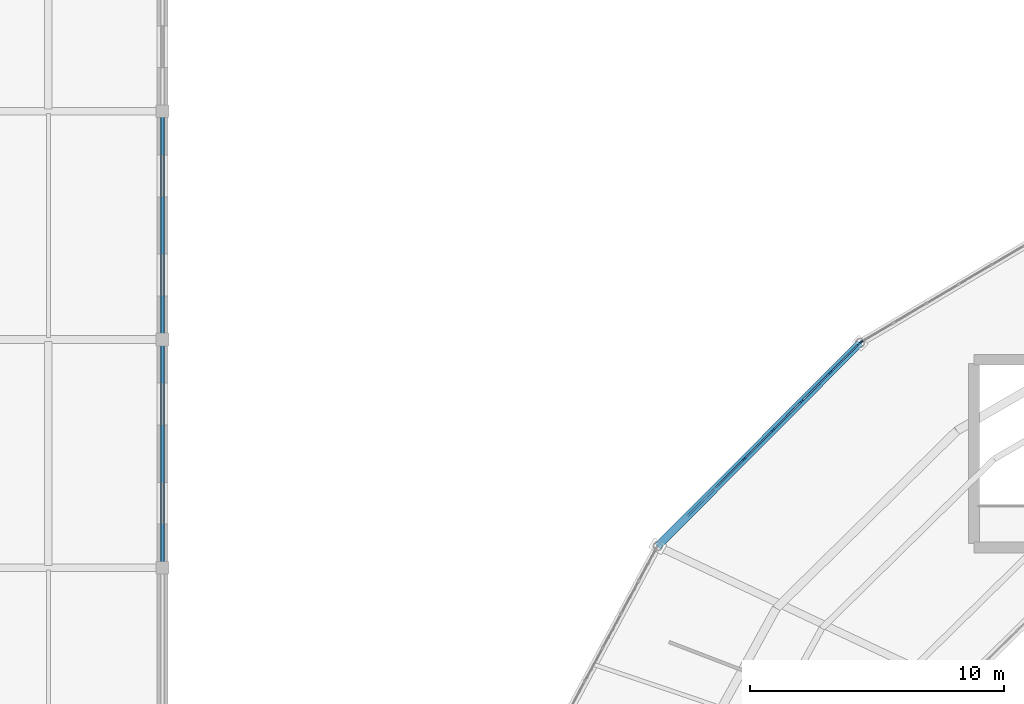
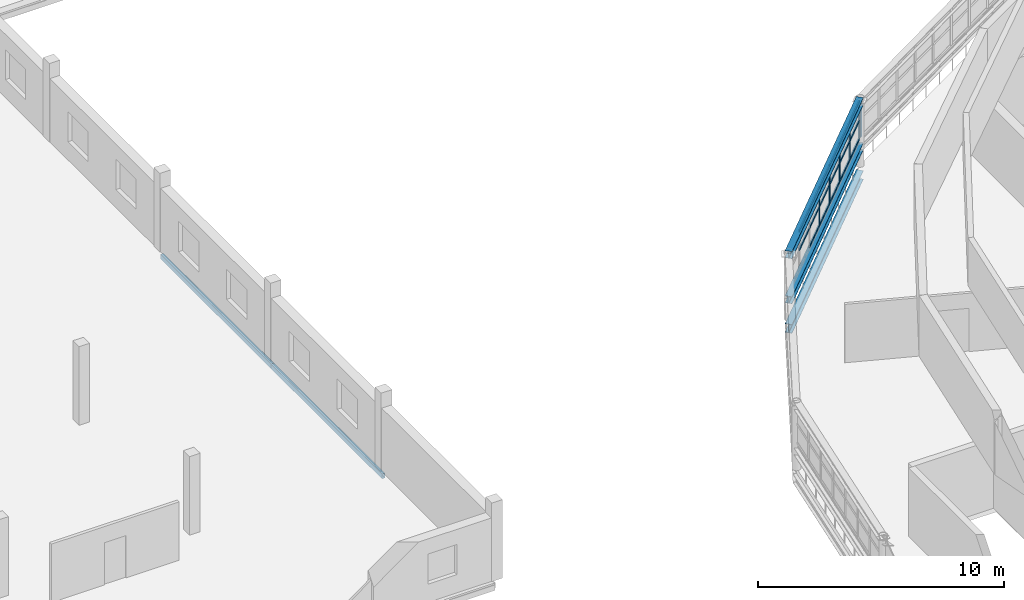
# One storey, part 43 of 123: 23 members, 5 beams, 2 elements without a shape of their own.
"""IFC4 building model written with IfcOpenShell, lengths in metres."""

from ifc_helpers import new_model, si_unit, direction, frame, origin, origin_2d, place, context, subcontext, project, spatial, rectangle, hollow_rectangle, i_section, extrude, material, material_profile, profile_set, type_object, element, aggregate, save


model = new_model("IFC4")

# Units and contexts
model_context = context("Model", 3, precision=1e-05, world=origin(), true_north=direction((0.0, 1.0)))
body_context = subcontext(model_context, "Body", "Model", "MODEL_VIEW")
ifc_project = project(units=[si_unit("LENGTHUNIT", "METRE"), si_unit("AREAUNIT", "SQUARE_METRE"), si_unit("VOLUMEUNIT", "CUBIC_METRE"), si_unit("PLANEANGLEUNIT", "RADIAN"), si_unit("MASSUNIT", "GRAM", prefix="KILO")], contexts=[model_context])

# Site, building, storey
site_placement = place(None, origin())
site = spatial("IfcSite", under=ifc_project, at=site_placement, CompositionType="ELEMENT")
building_placement = place(site_placement, origin())
building = spatial("IfcBuilding", under=site, at=building_placement, Name="Kildeholm Park Wholesale Market", CompositionType="ELEMENT")
storey_placement = place(building_placement, frame((0.0, 0.0, 9.60009765625)))
storey = spatial("IfcBuildingStorey", under=building, at=storey_placement, Name="L02", CompositionType="ELEMENT", Elevation=9.60009765625)

# Beams
ifc_material_1 = material(Name="Steel S355", Category="steel")
ifc_material_profile_1 = material_profile(ifc_material_1, i_section(OverallWidth=0.300048828125, OverallDepth=0.35009765625, WebThickness=0.010009765625, FlangeThickness=0.017578125, FilletRadius=0.027099609375, at=origin_2d()), Name="HEA 360")
ifc_profile_set_1 = profile_set([ifc_material_profile_1], Name="Steel S355")
beam_type_1 = type_object("IfcBeamType", Name="Beam B-R01 HEA 360", PredefinedType="BEAM", material=ifc_profile_set_1)
beam_1_placement = place(storey_placement, frame((63.5029296875, 116.864990234375, 0.94775390625), z_axis=(-0.705431576708, -0.708778026313, 0.0), x_axis=(0.708778026313, -0.705431576708, 0.0)))
element("IfcBeam", 1, at=beam_1_placement, inside=storey, type_object=beam_type_1, Name="Beam BM-V1-S1IN-09 BM-0275", PredefinedType="BEAM", context=body_context, shape_type="SweptSolid", body=[
    extrude(i_section(OverallWidth=0.300048828125, OverallDepth=0.35009765625, WebThickness=0.010009765625, FlangeThickness=0.017578125, FilletRadius=0.027099609375, at=origin_2d()), origin(), (0.0, 0.0, 1.0), 11.30810546875),
])
ifc_material_profile_2 = material_profile(ifc_material_1, i_section(OverallWidth=0.300048828125, OverallDepth=0.43994140625, WebThickness=0.011474609375, FlangeThickness=0.02099609375, FilletRadius=0.027099609375, at=origin_2d()), Name="HEA 450")
ifc_profile_set_2 = profile_set([ifc_material_profile_2], Name="Steel S355")
beam_type_2 = type_object("IfcBeamType", Name="Beam B-R02 HEA 450", PredefinedType="BEAM", material=ifc_profile_set_2)
beam_2_placement = place(storey_placement, frame((63.5029296875, 116.864990234375, -0.47412109375), z_axis=(-0.705431576708, -0.708778026313, 0.0), x_axis=(0.708778026313, -0.705431576708, 0.0)))
element("IfcBeam", 2, at=beam_2_placement, inside=storey, type_object=beam_type_2, Name="Beam BM-V1-L02-CM-09 BM-0088", PredefinedType="BEAM", context=body_context, shape_type="SweptSolid", body=[
    extrude(i_section(OverallWidth=0.300048828125, OverallDepth=0.43994140625, WebThickness=0.011474609375, FlangeThickness=0.02099609375, FilletRadius=0.027099609375, at=origin_2d()), origin(), (0.0, 0.0, 1.0), 11.30810546875),
])
ifc_material_profile_3 = material_profile(ifc_material_1, i_section(OverallWidth=0.300048828125, OverallDepth=0.360107421875, WebThickness=0.012451171875, FlangeThickness=0.0224609375, FilletRadius=0.027099609375, at=origin_2d()), Name="HEB 360")
ifc_profile_set_3 = profile_set([ifc_material_profile_3], Name="Steel S355")
beam_type_3 = type_object("IfcBeamType", Name="Beam B-R03 HEB 360", PredefinedType="BEAM", material=ifc_profile_set_3)
beam_3_placement = place(storey_placement, frame((63.5029296875, 116.864990234375, 3.190185546875), z_axis=(-0.705431576708, -0.708778026313, 0.0), x_axis=(0.708778026313, -0.705431576708, 0.0)))
element("IfcBeam", 3, at=beam_3_placement, inside=storey, type_object=beam_type_3, Name="Beam BM-V1-RF-M1-09 BM-0276", PredefinedType="BEAM", context=body_context, shape_type="SweptSolid", body=[
    extrude(i_section(OverallWidth=0.300048828125, OverallDepth=0.360107421875, WebThickness=0.012451171875, FlangeThickness=0.0224609375, FilletRadius=0.027099609375, at=origin_2d()), origin(), (0.0, 0.0, 1.0), 11.30810546875),
])
ifc_material_profile_4 = material_profile(ifc_material_1, hollow_rectangle(XDim=0.14990234375, YDim=0.25, WallThickness=0.010009765625, InnerFilletRadius=0.010009765625, OuterFilletRadius=0.02001953125, at=origin_2d()), Name="RHS 250x150x10")
ifc_profile_set_4 = profile_set([ifc_material_profile_4], Name="Steel S355")
beam_type_4 = type_object("IfcBeamType", Name="Beam SP-02 RHS 250x150x10", PredefinedType="SPANDREL", material=ifc_profile_set_4)
for number, where, z_axis, x_axis, name in (
    (4, (36.0, 108.0, -0.445068359375), (0.0, 1.0, 0.0), (-1.0, 0.0, 0.0), "Beam BM-V4-L02-Y-036-108 BM-0997"),
    (5, (36.0, 117.0, -0.445068359375), (0.0, 1.0, 0.0), (-1.0, 0.0, 0.0), "Beam BM-V4-L02-Y-036-117 BM-0998"),
):
    element("IfcBeam", number, at=place(storey_placement, frame(where, z_axis=z_axis, x_axis=x_axis)), inside=storey, type_object=beam_type_4, Name=name, PredefinedType="SPANDREL", context=body_context, shape_type="SweptSolid", body=[
        extrude(hollow_rectangle(XDim=0.14990234375, YDim=0.25, WallThickness=0.010009765625, InnerFilletRadius=0.010009765625, OuterFilletRadius=0.02001953125, at=origin_2d()), origin(), (0.0, 0.0, 1.0), 9.0),
    ])

# Curtain wall, member
ifc_material_2 = material(Name="Anodised aluminium and low-E double-glazed glass", Category="aluminium")
curtain_wall_type = type_object("IfcCurtainWallType", Name="Clerestory daylight stick curtain wall CW-02", PredefinedType="NOTDEFINED", material=ifc_material_2)
curtain_wall_1_placement = place(storey_placement, origin())
curtain_wall_1 = element("IfcCurtainWall", 6, at=curtain_wall_1_placement, inside=storey, type_object=curtain_wall_type, Name="Curtain wall CW-V1-CL-08 CW-0040", PredefinedType="NOTDEFINED")
ifc_material_3 = material(Name="Anodised aluminium", Category="aluminium")
ifc_material_profile_5 = material_profile(ifc_material_3, rectangle(XDim=0.06005859375, YDim=0.14990234375, at=origin_2d()), Name="CWM 60x150")
ifc_profile_set_5 = profile_set([ifc_material_profile_5], Name="Anodised aluminium")
member_type_1 = type_object("IfcMemberType", Name="Curtain-wall mullion CWM-3 CWM 60x150", PredefinedType="MULLION", material=ifc_profile_set_5)
member_1_placement = place(storey_placement, frame((63.559814453125, 116.904296875, 1.349853515625), z_axis=(0.0, 0.0, 1.0), x_axis=(0.509105492275, -0.860704129033, 0.0)))
member_1 = element("IfcMember", 7, at=member_1_placement, type_object=member_type_1, Name="CW-02 mullion 9 MEM-1517", PredefinedType="MULLION", context=body_context, shape_type="SweptSolid", body=[
    extrude(rectangle(XDim=0.06005859375, YDim=0.14990234375, at=origin_2d()), origin(), (0.0, 0.0, 1.0), 1.900146484375),
])
aggregate(curtain_wall_1, [member_1])

# Curtain wall, members
curtain_wall_2_placement = place(storey_placement, origin())
curtain_wall_2 = element("IfcCurtainWall", 8, at=curtain_wall_2_placement, inside=storey, type_object=curtain_wall_type, Name="Curtain wall CW-V1-CL-09 CW-0045", PredefinedType="NOTDEFINED")
member_2_placement = place(storey_placement, frame((63.44873046875, 116.81884765625, 1.349853515625), z_axis=(0.0, 0.0, 1.0), x_axis=(0.708796820959, -0.705412692399, 0.0)))
member_2 = element("IfcMember", 9, at=member_2_placement, type_object=member_type_1, Name="CW-02 mullion 1 MEM-1654", PredefinedType="MULLION", context=body_context, shape_type="SweptSolid", body=[
    extrude(rectangle(XDim=0.06005859375, YDim=0.14990234375, at=origin_2d()), origin(), (0.0, 0.0, 1.0), 1.900146484375),
])
member_3_placement = place(storey_placement, frame((62.33837890625, 115.702880859375, 1.349853515625), z_axis=(0.0, 0.0, 1.0), x_axis=(0.708796820959, -0.705412692399, 0.0)))
member_3 = element("IfcMember", 10, at=member_3_placement, type_object=member_type_1, Name="CW-02 mullion 2 MEM-1655", PredefinedType="MULLION", context=body_context, shape_type="SweptSolid", body=[
    extrude(rectangle(XDim=0.06005859375, YDim=0.14990234375, at=origin_2d()), origin(), (0.0, 0.0, 1.0), 1.900146484375),
])
member_4_placement = place(storey_placement, frame((61.206787109375, 114.56591796875, 1.349853515625), z_axis=(0.0, 0.0, 1.0), x_axis=(0.708796820959, -0.705412692399, 0.0)))
member_4 = element("IfcMember", 11, at=member_4_placement, type_object=member_type_1, Name="CW-02 mullion 3 MEM-1656", PredefinedType="MULLION", context=body_context, shape_type="SweptSolid", body=[
    extrude(rectangle(XDim=0.06005859375, YDim=0.14990234375, at=origin_2d()), origin(), (0.0, 0.0, 1.0), 1.900146484375),
])
member_5_placement = place(storey_placement, frame((60.0751953125, 113.428955078125, 1.349853515625), z_axis=(0.0, 0.0, 1.0), x_axis=(0.708796820959, -0.705412692399, 0.0)))
member_5 = element("IfcMember", 12, at=member_5_placement, type_object=member_type_1, Name="CW-02 mullion 4 MEM-1657", PredefinedType="MULLION", context=body_context, shape_type="SweptSolid", body=[
    extrude(rectangle(XDim=0.06005859375, YDim=0.14990234375, at=origin_2d()), origin(), (0.0, 0.0, 1.0), 1.900146484375),
])
member_6_placement = place(storey_placement, frame((58.943603515625, 112.2919921875, 1.349853515625), z_axis=(0.0, 0.0, 1.0), x_axis=(0.708796820959, -0.705412692399, 0.0)))
member_6 = element("IfcMember", 13, at=member_6_placement, type_object=member_type_1, Name="CW-02 mullion 5 MEM-1658", PredefinedType="MULLION", context=body_context, shape_type="SweptSolid", body=[
    extrude(rectangle(XDim=0.06005859375, YDim=0.14990234375, at=origin_2d()), origin(), (0.0, 0.0, 1.0), 1.900146484375),
])
ifc_material_profile_6 = material_profile(ifc_material_3, rectangle(XDim=0.06005859375, YDim=0.1201171875, at=origin_2d()), Name="CWT 60x120")
ifc_profile_set_6 = profile_set([ifc_material_profile_6], Name="Anodised aluminium")
member_type_2 = type_object("IfcMemberType", Name="Curtain-wall transom CWT-3 CWT 60x120", PredefinedType="USERDEFINED", material=ifc_profile_set_6)
member_7_placement = place(storey_placement, frame((63.427734375, 116.79736328125, 1.3798828125), z_axis=(-0.705492388442, -0.708717496504, 0.0), x_axis=(0.708717496504, -0.705492388442, 0.0)))
member_7 = element("IfcMember", 14, at=member_7_placement, type_object=member_type_2, Name="CW-02 transom 1.1 MEM-1662", ObjectType="TRANSOM", PredefinedType="USERDEFINED", context=body_context, shape_type="SweptSolid", body=[
    extrude(rectangle(XDim=0.06005859375, YDim=0.1201171875, at=origin_2d()), origin(), (0.0, 0.0, 1.0), 1.513916015625),
])
member_8_placement = place(storey_placement, frame((63.427734375, 116.79736328125, 2.2998046875), z_axis=(-0.705492388442, -0.708717496504, 0.0), x_axis=(0.708717496504, -0.705492388442, 0.0)))
member_8 = element("IfcMember", 15, at=member_8_placement, type_object=member_type_2, Name="CW-02 transom 1.2 MEM-1663", ObjectType="TRANSOM", PredefinedType="USERDEFINED", context=body_context, shape_type="SweptSolid", body=[
    extrude(rectangle(XDim=0.06005859375, YDim=0.1201171875, at=origin_2d()), origin(), (0.0, 0.0, 1.0), 1.513916015625),
])
member_9_placement = place(storey_placement, frame((63.427734375, 116.79736328125, 3.219970703125), z_axis=(-0.705492388442, -0.708717496504, 0.0), x_axis=(0.708717496504, -0.705492388442, 0.0)))
member_9 = element("IfcMember", 16, at=member_9_placement, type_object=member_type_2, Name="CW-02 transom 1.3 MEM-1664", ObjectType="TRANSOM", PredefinedType="USERDEFINED", context=body_context, shape_type="SweptSolid", body=[
    extrude(rectangle(XDim=0.06005859375, YDim=0.1201171875, at=origin_2d()), origin(), (0.0, 0.0, 1.0), 1.513916015625),
])
member_10_placement = place(storey_placement, frame((62.3173828125, 115.681640625, 1.3798828125), z_axis=(-0.705444776486, -0.708764888612, 0.0), x_axis=(0.708764888612, -0.705444776486, 0.0)))
member_10 = element("IfcMember", 17, at=member_10_placement, type_object=member_type_2, Name="CW-02 transom 2.1 MEM-1665", ObjectType="TRANSOM", PredefinedType="USERDEFINED", context=body_context, shape_type="SweptSolid", body=[
    extrude(rectangle(XDim=0.06005859375, YDim=0.1201171875, at=origin_2d()), origin(), (0.0, 0.0, 1.0), 1.544189453125),
])
member_11_placement = place(storey_placement, frame((62.3173828125, 115.681640625, 2.2998046875), z_axis=(-0.705444776486, -0.708764888612, 0.0), x_axis=(0.708764888612, -0.705444776486, 0.0)))
member_11 = element("IfcMember", 18, at=member_11_placement, type_object=member_type_2, Name="CW-02 transom 2.2 MEM-1666", ObjectType="TRANSOM", PredefinedType="USERDEFINED", context=body_context, shape_type="SweptSolid", body=[
    extrude(rectangle(XDim=0.06005859375, YDim=0.1201171875, at=origin_2d()), origin(), (0.0, 0.0, 1.0), 1.544189453125),
])
member_12_placement = place(storey_placement, frame((62.3173828125, 115.681640625, 3.219970703125), z_axis=(-0.705444776486, -0.708764888612, 0.0), x_axis=(0.708764888612, -0.705444776486, 0.0)))
member_12 = element("IfcMember", 19, at=member_12_placement, type_object=member_type_2, Name="CW-02 transom 2.3 MEM-1667", ObjectType="TRANSOM", PredefinedType="USERDEFINED", context=body_context, shape_type="SweptSolid", body=[
    extrude(rectangle(XDim=0.06005859375, YDim=0.1201171875, at=origin_2d()), origin(), (0.0, 0.0, 1.0), 1.544189453125),
])
member_13_placement = place(storey_placement, frame((61.185791015625, 114.544677734375, 1.3798828125), z_axis=(-0.705444776486, -0.708764888612, 0.0), x_axis=(0.708764888612, -0.705444776486, 0.0)))
member_13 = element("IfcMember", 20, at=member_13_placement, type_object=member_type_2, Name="CW-02 transom 3.1 MEM-1668", ObjectType="TRANSOM", PredefinedType="USERDEFINED", context=body_context, shape_type="SweptSolid", body=[
    extrude(rectangle(XDim=0.06005859375, YDim=0.1201171875, at=origin_2d()), origin(), (0.0, 0.0, 1.0), 1.544189453125),
])
member_14_placement = place(storey_placement, frame((61.185791015625, 114.544677734375, 2.2998046875), z_axis=(-0.705444776486, -0.708764888612, 0.0), x_axis=(0.708764888612, -0.705444776486, 0.0)))
member_14 = element("IfcMember", 21, at=member_14_placement, type_object=member_type_2, Name="CW-02 transom 3.2 MEM-1669", ObjectType="TRANSOM", PredefinedType="USERDEFINED", context=body_context, shape_type="SweptSolid", body=[
    extrude(rectangle(XDim=0.06005859375, YDim=0.1201171875, at=origin_2d()), origin(), (0.0, 0.0, 1.0), 1.544189453125),
])
member_15_placement = place(storey_placement, frame((61.185791015625, 114.544677734375, 3.219970703125), z_axis=(-0.705444776486, -0.708764888612, 0.0), x_axis=(0.708764888612, -0.705444776486, 0.0)))
member_15 = element("IfcMember", 22, at=member_15_placement, type_object=member_type_2, Name="CW-02 transom 3.3 MEM-1670", ObjectType="TRANSOM", PredefinedType="USERDEFINED", context=body_context, shape_type="SweptSolid", body=[
    extrude(rectangle(XDim=0.06005859375, YDim=0.1201171875, at=origin_2d()), origin(), (0.0, 0.0, 1.0), 1.544189453125),
])
member_16_placement = place(storey_placement, frame((60.05419921875, 113.40771484375, 1.3798828125), z_axis=(-0.705444776486, -0.708764888612, 0.0), x_axis=(0.708764888612, -0.705444776486, 0.0)))
member_16 = element("IfcMember", 23, at=member_16_placement, type_object=member_type_2, Name="CW-02 transom 4.1 MEM-1671", ObjectType="TRANSOM", PredefinedType="USERDEFINED", context=body_context, shape_type="SweptSolid", body=[
    extrude(rectangle(XDim=0.06005859375, YDim=0.1201171875, at=origin_2d()), origin(), (0.0, 0.0, 1.0), 1.544189453125),
])
member_17_placement = place(storey_placement, frame((60.05419921875, 113.40771484375, 2.2998046875), z_axis=(-0.705444776486, -0.708764888612, 0.0), x_axis=(0.708764888612, -0.705444776486, 0.0)))
member_17 = element("IfcMember", 24, at=member_17_placement, type_object=member_type_2, Name="CW-02 transom 4.2 MEM-1672", ObjectType="TRANSOM", PredefinedType="USERDEFINED", context=body_context, shape_type="SweptSolid", body=[
    extrude(rectangle(XDim=0.06005859375, YDim=0.1201171875, at=origin_2d()), origin(), (0.0, 0.0, 1.0), 1.544189453125),
])
member_18_placement = place(storey_placement, frame((60.05419921875, 113.40771484375, 3.219970703125), z_axis=(-0.705444776486, -0.708764888612, 0.0), x_axis=(0.708764888612, -0.705444776486, 0.0)))
member_18 = element("IfcMember", 25, at=member_18_placement, type_object=member_type_2, Name="CW-02 transom 4.3 MEM-1673", ObjectType="TRANSOM", PredefinedType="USERDEFINED", context=body_context, shape_type="SweptSolid", body=[
    extrude(rectangle(XDim=0.06005859375, YDim=0.1201171875, at=origin_2d()), origin(), (0.0, 0.0, 1.0), 1.544189453125),
])
member_19_placement = place(storey_placement, frame((58.922607421875, 112.270751953125, 1.3798828125), z_axis=(-0.705444776486, -0.708764888612, 0.0), x_axis=(0.708764888612, -0.705444776486, 0.0)))
member_19 = element("IfcMember", 26, at=member_19_placement, type_object=member_type_2, Name="CW-02 transom 5.1 MEM-1674", ObjectType="TRANSOM", PredefinedType="USERDEFINED", context=body_context, shape_type="SweptSolid", body=[
    extrude(rectangle(XDim=0.06005859375, YDim=0.1201171875, at=origin_2d()), origin(), (0.0, 0.0, 1.0), 1.544189453125),
])
member_20_placement = place(storey_placement, frame((58.922607421875, 112.270751953125, 2.2998046875), z_axis=(-0.705444776486, -0.708764888612, 0.0), x_axis=(0.708764888612, -0.705444776486, 0.0)))
member_20 = element("IfcMember", 27, at=member_20_placement, type_object=member_type_2, Name="CW-02 transom 5.2 MEM-1675", ObjectType="TRANSOM", PredefinedType="USERDEFINED", context=body_context, shape_type="SweptSolid", body=[
    extrude(rectangle(XDim=0.06005859375, YDim=0.1201171875, at=origin_2d()), origin(), (0.0, 0.0, 1.0), 1.544189453125),
])
member_21_placement = place(storey_placement, frame((58.922607421875, 112.270751953125, 3.219970703125), z_axis=(-0.705444776486, -0.708764888612, 0.0), x_axis=(0.708764888612, -0.705444776486, 0.0)))
member_21 = element("IfcMember", 28, at=member_21_placement, type_object=member_type_2, Name="CW-02 transom 5.3 MEM-1676", ObjectType="TRANSOM", PredefinedType="USERDEFINED", context=body_context, shape_type="SweptSolid", body=[
    extrude(rectangle(XDim=0.06005859375, YDim=0.1201171875, at=origin_2d()), origin(), (0.0, 0.0, 1.0), 1.544189453125),
])
member_22_placement = place(storey_placement, frame((57.791015625, 111.1337890625, 2.2998046875), z_axis=(-0.705444776486, -0.708764888612, 0.0), x_axis=(0.708764888612, -0.705444776486, 0.0)))
member_22 = element("IfcMember", 29, at=member_22_placement, type_object=member_type_2, Name="CW-02 transom 6.2 MEM-1678", ObjectType="TRANSOM", PredefinedType="USERDEFINED", context=body_context, shape_type="SweptSolid", body=[
    extrude(rectangle(XDim=0.06005859375, YDim=0.1201171875, at=origin_2d()), origin(), (0.0, 0.0, 1.0), 1.544189453125),
])
member_23_placement = place(storey_placement, frame((57.791015625, 111.1337890625, 3.219970703125), z_axis=(-0.705444776486, -0.708764888612, 0.0), x_axis=(0.708764888612, -0.705444776486, 0.0)))
member_23 = element("IfcMember", 30, at=member_23_placement, type_object=member_type_2, Name="CW-02 transom 6.3 MEM-1679", ObjectType="TRANSOM", PredefinedType="USERDEFINED", context=body_context, shape_type="SweptSolid", body=[
    extrude(rectangle(XDim=0.06005859375, YDim=0.1201171875, at=origin_2d()), origin(), (0.0, 0.0, 1.0), 1.544189453125),
])
aggregate(curtain_wall_2, [member_2, member_3, member_4, member_5, member_6, member_7, member_8, member_9, member_10, member_11, member_12, member_13, member_14, member_15, member_16, member_17, member_18, member_19, member_20, member_21, member_22, member_23])

save(model, "model.ifc")
